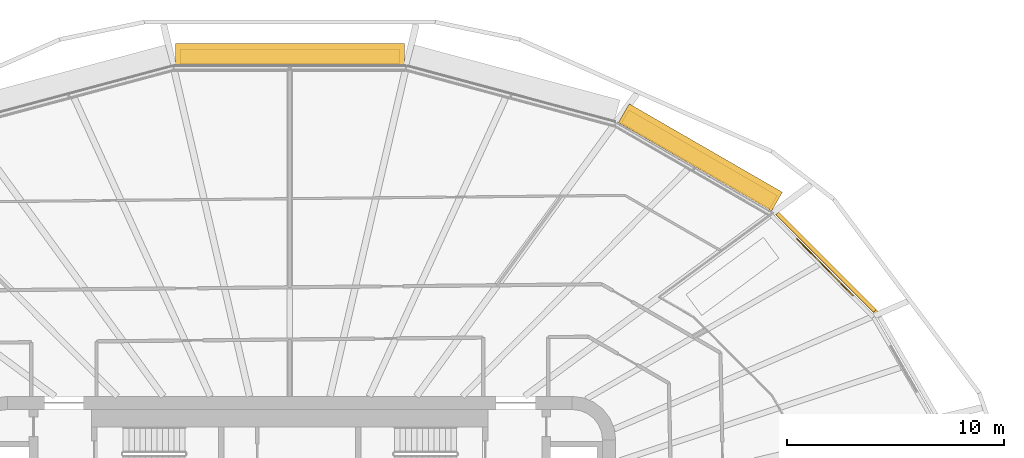
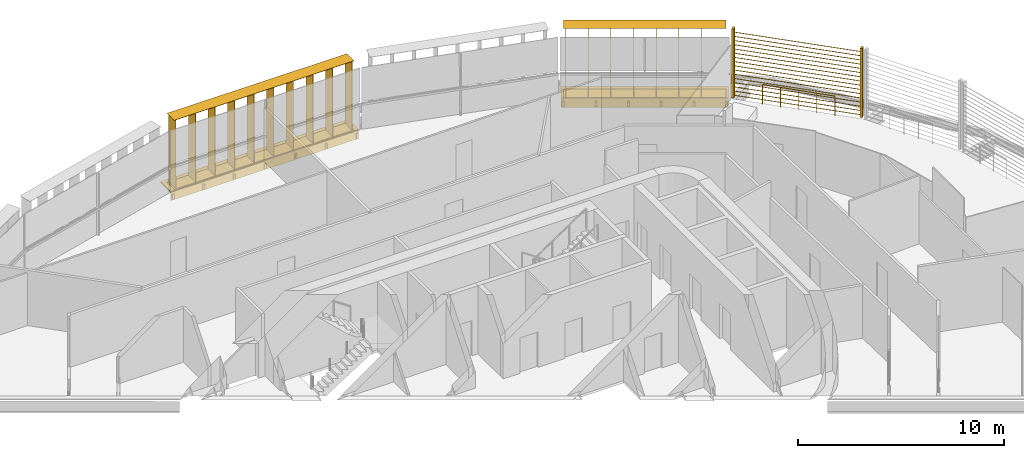
# One storey, part 24 of 24: 5 shading devices, 1 railing.
"""IFC4 building model written with IfcOpenShell, lengths in metres."""

from ifc_helpers import new_model, si_unit, direction, frame, origin, origin_2d, place, context, subcontext, project, spatial, rectangle, circle, extrude, material, type_object, element, save


model = new_model("IFC4")

# Units and contexts
model_context = context("Model", 3, precision=1e-05, world=origin(), true_north=direction((0.0, 1.0)))
body_context = subcontext(model_context, "Body", "Model", "MODEL_VIEW")
ifc_project = project(units=[si_unit("LENGTHUNIT", "METRE"), si_unit("AREAUNIT", "SQUARE_METRE"), si_unit("VOLUMEUNIT", "CUBIC_METRE"), si_unit("PLANEANGLEUNIT", "RADIAN"), si_unit("MASSUNIT", "GRAM", prefix="KILO")], contexts=[model_context])

# Site, building, storey
site_placement = place(None, origin())
site = spatial("IfcSite", under=ifc_project, at=site_placement, CompositionType="ELEMENT")
building_placement = place(site_placement, origin())
building = spatial("IfcBuilding", under=site, at=building_placement, Name="Sahrelin Media Tower", CompositionType="ELEMENT")
storey_placement = place(building_placement, frame((0.0, 0.0, 67.199951171875)))
storey = spatial("IfcBuildingStorey", under=building, at=storey_placement, Name="L11", CompositionType="ELEMENT", Elevation=67.199951171875)

# Shading devices
ifc_material_1 = material(Name="Champagne anodised aluminium 6063-T6", Category="aluminium")
shading_device_type_1 = type_object("IfcShadingDeviceType", Name="Fin cassette", PredefinedType="USERDEFINED", material=ifc_material_1)
placement_1 = place(storey_placement, frame((18.6416015625, 18.5498046875, 0.0), z_axis=(0.0, 0.0, 1.0), x_axis=(0.866019052629, -0.500011000363, 0.0)))
element("IfcShadingDevice", 1, at=placement_1, inside=storey, type_object=shading_device_type_1, Name="L11:FIN:L11-04", ObjectType="FIN", PredefinedType="USERDEFINED", context=body_context, shape_type="SweptSolid", body=[
    extrude(rectangle(XDim=7.89990234375, YDim=0.699951171875, at=origin_2d()), frame((0.0, 0.419921875, 0.0)), (0.0, 0.0, 1.0), 0.02001953125),
    extrude(rectangle(XDim=7.89990234375, YDim=0.699951171875, at=origin_2d()), frame((0.0, 0.419921875, 4.10009765625)), (0.0, 0.0, 1.0), 0.02001953125),
    extrude(rectangle(XDim=0.02001953125, YDim=0.699951171875, at=origin_2d()), frame((-3.85009765625, 0.419921875, 0.010009765625), z_axis=(0.0, 0.0, 1.0), x_axis=(1.0, 0.0, 0.0)), (0.0, 0.0, 1.0), 4.10009765625),
    extrude(rectangle(XDim=0.02001953125, YDim=0.699951171875, at=origin_2d()), frame((-2.75, 0.419921875, 0.010009765625), z_axis=(0.0, 0.0, 1.0), x_axis=(1.0, 0.0, 0.0)), (0.0, 0.0, 1.0), 4.10009765625),
    extrude(rectangle(XDim=0.02001953125, YDim=0.699951171875, at=origin_2d()), frame((-1.64990234375, 0.419921875, 0.010009765625), z_axis=(0.0, 0.0, 1.0), x_axis=(1.0, 0.0, 0.0)), (0.0, 0.0, 1.0), 4.10009765625),
    extrude(rectangle(XDim=0.02001953125, YDim=0.699951171875, at=origin_2d()), frame((-0.550048828125, 0.419921875, 0.010009765625), z_axis=(0.0, 0.0, 1.0), x_axis=(1.0, 0.0, 0.0)), (0.0, 0.0, 1.0), 4.10009765625),
    extrude(rectangle(XDim=0.02001953125, YDim=0.699951171875, at=origin_2d()), frame((0.550048828125, 0.419921875, 0.010009765625), z_axis=(0.0, 0.0, 1.0), x_axis=(1.0, 0.0, 0.0)), (0.0, 0.0, 1.0), 4.10009765625),
    extrude(rectangle(XDim=0.02001953125, YDim=0.699951171875, at=origin_2d()), frame((1.64990234375, 0.419921875, 0.010009765625), z_axis=(0.0, 0.0, 1.0), x_axis=(1.0, 0.0, 0.0)), (0.0, 0.0, 1.0), 4.10009765625),
    extrude(rectangle(XDim=0.02001953125, YDim=0.699951171875, at=origin_2d()), frame((2.75, 0.419921875, 0.010009765625), z_axis=(0.0, 0.0, 1.0), x_axis=(1.0, 0.0, 0.0)), (0.0, 0.0, 1.0), 4.10009765625),
    extrude(rectangle(XDim=0.02001953125, YDim=0.699951171875, at=origin_2d()), frame((3.85009765625, 0.419921875, 0.010009765625), z_axis=(0.0, 0.0, 1.0), x_axis=(1.0, 0.0, 0.0)), (0.0, 0.0, 1.0), 4.10009765625),
])
placement_2 = place(storey_placement, frame((0.0, 23.22314453125, 0.0), z_axis=(0.0, 0.0, 1.0), x_axis=(1.0, 0.0, 0.0)))
element("IfcShadingDevice", 2, at=placement_2, inside=storey, type_object=shading_device_type_1, Name="L11:FIN:L11-06", ObjectType="FIN", PredefinedType="USERDEFINED", context=body_context, shape_type="SweptSolid", body=[
    extrude(rectangle(XDim=10.10009765625, YDim=0.699951171875, at=origin_2d()), frame((0.0, 0.419921875, 0.0)), (0.0, 0.0, 1.0), 0.02001953125),
    extrude(rectangle(XDim=10.10009765625, YDim=0.699951171875, at=origin_2d()), frame((0.0, 0.419921875, 4.10009765625)), (0.0, 0.0, 1.0), 0.02001953125),
    extrude(rectangle(XDim=0.02001953125, YDim=0.699951171875, at=origin_2d()), frame((-4.949951171875, 0.419921875, 0.010009765625), z_axis=(0.0, 0.0, 1.0), x_axis=(1.0, 0.0, 0.0)), (0.0, 0.0, 1.0), 4.10009765625),
    extrude(rectangle(XDim=0.02001953125, YDim=0.699951171875, at=origin_2d()), frame((-3.85009765625, 0.419921875, 0.010009765625), z_axis=(0.0, 0.0, 1.0), x_axis=(1.0, 0.0, 0.0)), (0.0, 0.0, 1.0), 4.10009765625),
    extrude(rectangle(XDim=0.02001953125, YDim=0.699951171875, at=origin_2d()), frame((-2.75, 0.419921875, 0.010009765625), z_axis=(0.0, 0.0, 1.0), x_axis=(1.0, 0.0, 0.0)), (0.0, 0.0, 1.0), 4.10009765625),
    extrude(rectangle(XDim=0.02001953125, YDim=0.699951171875, at=origin_2d()), frame((-1.64990234375, 0.419921875, 0.010009765625), z_axis=(0.0, 0.0, 1.0), x_axis=(1.0, 0.0, 0.0)), (0.0, 0.0, 1.0), 4.10009765625),
    extrude(rectangle(XDim=0.02001953125, YDim=0.699951171875, at=origin_2d()), frame((-0.550048828125, 0.419921875, 0.010009765625), z_axis=(0.0, 0.0, 1.0), x_axis=(1.0, 0.0, 0.0)), (0.0, 0.0, 1.0), 4.10009765625),
    extrude(rectangle(XDim=0.02001953125, YDim=0.699951171875, at=origin_2d()), frame((0.550048828125, 0.419921875, 0.010009765625), z_axis=(0.0, 0.0, 1.0), x_axis=(1.0, 0.0, 0.0)), (0.0, 0.0, 1.0), 4.10009765625),
    extrude(rectangle(XDim=0.02001953125, YDim=0.699951171875, at=origin_2d()), frame((1.64990234375, 0.419921875, 0.010009765625), z_axis=(0.0, 0.0, 1.0), x_axis=(1.0, 0.0, 0.0)), (0.0, 0.0, 1.0), 4.10009765625),
    extrude(rectangle(XDim=0.02001953125, YDim=0.699951171875, at=origin_2d()), frame((2.75, 0.419921875, 0.010009765625), z_axis=(0.0, 0.0, 1.0), x_axis=(1.0, 0.0, 0.0)), (0.0, 0.0, 1.0), 4.10009765625),
    extrude(rectangle(XDim=0.02001953125, YDim=0.699951171875, at=origin_2d()), frame((3.85009765625, 0.419921875, 0.010009765625), z_axis=(0.0, 0.0, 1.0), x_axis=(1.0, 0.0, 0.0)), (0.0, 0.0, 1.0), 4.10009765625),
    extrude(rectangle(XDim=0.02001953125, YDim=0.699951171875, at=origin_2d()), frame((4.949951171875, 0.419921875, 0.010009765625), z_axis=(0.0, 0.0, 1.0), x_axis=(1.0, 0.0, 0.0)), (0.0, 0.0, 1.0), 4.10009765625),
])
shading_device_type_2 = type_object("IfcShadingDeviceType", Name="Garden screen", PredefinedType="USERDEFINED", material=ifc_material_1)
shading_device_3_placement = place(storey_placement, frame((24.616455078125, 14.1015625, 0.0), z_axis=(0.0, 0.0, 1.0), x_axis=(0.707106781187, -0.707106781187, 0.0)))
element("IfcShadingDevice", 3, at=shading_device_3_placement, inside=storey, type_object=shading_device_type_2, Name="L11:SCREEN:L11-03", ObjectType="SCREEN", PredefinedType="USERDEFINED", context=body_context, shape_type="SweptSolid", body=[
    extrude(rectangle(XDim=0.1201171875, YDim=0.199951171875, at=origin_2d()), frame((3.232666015625, 0.10009765625, 0.050048828125), z_axis=(0.0, 0.0, 1.0), x_axis=(1.0, 0.0, 0.0)), (0.0, 0.0, 1.0), 4.099853515625),
    extrude(rectangle(XDim=0.1201171875, YDim=0.199951171875, at=origin_2d()), frame((-3.232666015625, 0.10009765625, 0.050048828125), z_axis=(0.0, 0.0, 1.0), x_axis=(1.0, 0.0, 0.0)), (0.0, 0.0, 1.0), 4.099853515625),
    extrude(rectangle(XDim=0.25, YDim=0.02001953125, at=origin_2d()), frame((3.172607421875, 0.10009765625, 0.14990234375), z_axis=(-1.0, 0.0, 0.0), x_axis=(0.0, -0.766044443119, 0.642787609687)), (0.0, 0.0, 1.0), 6.34521484375),
    extrude(rectangle(XDim=0.25, YDim=0.02001953125, at=origin_2d()), frame((3.172607421875, 0.10009765625, 0.39990234375), z_axis=(-1.0, 0.0, 0.0), x_axis=(0.0, -0.766044443119, 0.642787609687)), (0.0, 0.0, 1.0), 6.34521484375),
    extrude(rectangle(XDim=0.25, YDim=0.02001953125, at=origin_2d()), frame((3.172607421875, 0.10009765625, 0.64990234375), z_axis=(-1.0, 0.0, 0.0), x_axis=(0.0, -0.766044443119, 0.642787609687)), (0.0, 0.0, 1.0), 6.34521484375),
    extrude(rectangle(XDim=0.25, YDim=0.02001953125, at=origin_2d()), frame((3.172607421875, 0.10009765625, 0.89990234375), z_axis=(-1.0, 0.0, 0.0), x_axis=(0.0, -0.766044443119, 0.642787609687)), (0.0, 0.0, 1.0), 6.34521484375),
    extrude(rectangle(XDim=0.25, YDim=0.02001953125, at=origin_2d()), frame((3.172607421875, 0.10009765625, 1.14990234375), z_axis=(-1.0, 0.0, 0.0), x_axis=(0.0, -0.766044443119, 0.642787609687)), (0.0, 0.0, 1.0), 6.34521484375),
    extrude(rectangle(XDim=0.25, YDim=0.02001953125, at=origin_2d()), frame((3.172607421875, 0.10009765625, 1.39990234375), z_axis=(-1.0, 0.0, 0.0), x_axis=(0.0, -0.766044443119, 0.642787609687)), (0.0, 0.0, 1.0), 6.34521484375),
    extrude(rectangle(XDim=0.25, YDim=0.02001953125, at=origin_2d()), frame((3.172607421875, 0.10009765625, 1.64990234375), z_axis=(-1.0, 0.0, 0.0), x_axis=(0.0, -0.766044443119, 0.642787609687)), (0.0, 0.0, 1.0), 6.34521484375),
    extrude(rectangle(XDim=0.25, YDim=0.02001953125, at=origin_2d()), frame((3.172607421875, 0.10009765625, 1.89990234375), z_axis=(-1.0, 0.0, 0.0), x_axis=(0.0, -0.766044443119, 0.642787609687)), (0.0, 0.0, 1.0), 6.34521484375),
    extrude(rectangle(XDim=0.25, YDim=0.02001953125, at=origin_2d()), frame((3.172607421875, 0.10009765625, 2.14990234375), z_axis=(-1.0, 0.0, 0.0), x_axis=(0.0, -0.766044443119, 0.642787609687)), (0.0, 0.0, 1.0), 6.34521484375),
    extrude(rectangle(XDim=0.25, YDim=0.02001953125, at=origin_2d()), frame((3.172607421875, 0.10009765625, 2.39990234375), z_axis=(-1.0, 0.0, 0.0), x_axis=(0.0, -0.766044443119, 0.642787609687)), (0.0, 0.0, 1.0), 6.34521484375),
    extrude(rectangle(XDim=0.25, YDim=0.02001953125, at=origin_2d()), frame((3.172607421875, 0.10009765625, 2.64990234375), z_axis=(-1.0, 0.0, 0.0), x_axis=(0.0, -0.766044443119, 0.642787609687)), (0.0, 0.0, 1.0), 6.34521484375),
    extrude(rectangle(XDim=0.25, YDim=0.02001953125, at=origin_2d()), frame((3.172607421875, 0.10009765625, 2.89990234375), z_axis=(-1.0, 0.0, 0.0), x_axis=(0.0, -0.766044443119, 0.642787609687)), (0.0, 0.0, 1.0), 6.34521484375),
    extrude(rectangle(XDim=0.25, YDim=0.02001953125, at=origin_2d()), frame((3.172607421875, 0.10009765625, 3.14990234375), z_axis=(-1.0, 0.0, 0.0), x_axis=(0.0, -0.766044443119, 0.642787609687)), (0.0, 0.0, 1.0), 6.34521484375),
    extrude(rectangle(XDim=0.25, YDim=0.02001953125, at=origin_2d()), frame((3.172607421875, 0.10009765625, 3.39990234375), z_axis=(-1.0, 0.0, 0.0), x_axis=(0.0, -0.766044443119, 0.642787609687)), (0.0, 0.0, 1.0), 6.34521484375),
    extrude(rectangle(XDim=0.25, YDim=0.02001953125, at=origin_2d()), frame((3.172607421875, 0.10009765625, 3.64990234375), z_axis=(-1.0, 0.0, 0.0), x_axis=(0.0, -0.766044443119, 0.642787609687)), (0.0, 0.0, 1.0), 6.34521484375),
    extrude(rectangle(XDim=0.25, YDim=0.02001953125, at=origin_2d()), frame((3.172607421875, 0.10009765625, 3.89990234375), z_axis=(-1.0, 0.0, 0.0), x_axis=(0.0, -0.766044443119, 0.642787609687)), (0.0, 0.0, 1.0), 6.34521484375),
])

# Railing
ifc_material_2 = material(Name="Stainless steel 316", Category="steel")
railing_type = type_object("IfcRailingType", Name="Sky garden guard", PredefinedType="GUARDRAIL", material=ifc_material_2)
railing_placement = place(storey_placement, frame((25.90625, 12.64892578125, 0.0)))
element("IfcRailing", 4, at=railing_placement, inside=storey, type_object=railing_type, Name="Sky garden guard G1-4", PredefinedType="GUARDRAIL", context=body_context, shape_type="SweptSolid", body=[
    extrude(circle(Radius=0.02392578125, at=origin_2d()), frame((0.0, 0.0, 1.17578125), z_axis=(-0.699785402314, 0.714353127458, 0.0), x_axis=(-0.714353127458, -0.699785402314, 0.0)), (0.0, 0.0, 1.0), 3.653564453125),
    extrude(circle(Radius=0.02099609375, at=origin_2d()), origin(), (0.0, 0.0, 1.0), 1.15185546875),
    extrude(circle(Radius=0.02099609375, at=origin_2d()), frame((-0.63916015625, 0.65234375, 0.0)), (0.0, 0.0, 1.0), 1.15185546875),
    extrude(circle(Radius=0.02099609375, at=origin_2d()), frame((-1.2783203125, 1.304931640625, 0.0)), (0.0, 0.0, 1.0), 1.15185546875),
    extrude(circle(Radius=0.02099609375, at=origin_2d()), frame((-1.91748046875, 1.95751953125, 0.0)), (0.0, 0.0, 1.0), 1.15185546875),
    extrude(circle(Radius=0.02099609375, at=origin_2d()), frame((-2.556640625, 2.60986328125, 0.0)), (0.0, 0.0, 1.0), 1.15185546875),
])

# Shading devices
shading_device_type_3 = type_object("IfcShadingDeviceType", Name="Sunshade band", PredefinedType="USERDEFINED", material=ifc_material_1)
element("IfcShadingDevice", 5, at=placement_1, inside=storey, type_object=shading_device_type_3, Name="L11:SUN:L11-04", ObjectType="SUNSHADE", PredefinedType="USERDEFINED", context=body_context, shape_type="SweptSolid", body=[
    extrude(rectangle(XDim=8.139404296875, YDim=0.050048828125, at=origin_2d()), frame((0.0, 0.044921875, -0.55126953125)), (0.0, 0.0, 1.0), 0.471435546875),
    extrude(rectangle(XDim=8.139404296875, YDim=1.0, at=origin_2d()), frame((0.0, 0.52001953125, -0.080078125)), (0.0, 0.0, 1.0), 0.080078125),
    extrude(rectangle(XDim=0.10009765625, YDim=0.074951171875, at=origin_2d()), frame((-3.9697265625, -0.017578125, -0.47021484375)), (0.0, 0.0, 1.0), 0.300048828125),
    extrude(rectangle(XDim=0.10009765625, YDim=0.074951171875, at=origin_2d()), frame((-2.3818359375, -0.017578125, -0.47021484375)), (0.0, 0.0, 1.0), 0.300048828125),
    extrude(rectangle(XDim=0.10009765625, YDim=0.074951171875, at=origin_2d()), frame((-0.7939453125, -0.017578125, -0.47021484375)), (0.0, 0.0, 1.0), 0.300048828125),
    extrude(rectangle(XDim=0.10009765625, YDim=0.074951171875, at=origin_2d()), frame((0.7939453125, -0.017578125, -0.47021484375)), (0.0, 0.0, 1.0), 0.300048828125),
    extrude(rectangle(XDim=0.10009765625, YDim=0.074951171875, at=origin_2d()), frame((2.3818359375, -0.017578125, -0.47021484375)), (0.0, 0.0, 1.0), 0.300048828125),
    extrude(rectangle(XDim=0.10009765625, YDim=0.074951171875, at=origin_2d()), frame((3.9697265625, -0.017578125, -0.47021484375)), (0.0, 0.0, 1.0), 0.300048828125),
])
element("IfcShadingDevice", 6, at=placement_2, inside=storey, type_object=shading_device_type_3, Name="L11:SUN:L11-06", ObjectType="SUNSHADE", PredefinedType="USERDEFINED", context=body_context, shape_type="SweptSolid", body=[
    extrude(rectangle(XDim=10.540771484375, YDim=0.050048828125, at=origin_2d()), frame((0.0, 0.044921875, -0.55126953125)), (0.0, 0.0, 1.0), 0.471435546875),
    extrude(rectangle(XDim=10.540771484375, YDim=1.0, at=origin_2d()), frame((0.0, 0.52001953125, -0.080078125)), (0.0, 0.0, 1.0), 0.080078125),
    extrude(rectangle(XDim=0.10009765625, YDim=0.074951171875, at=origin_2d()), frame((-5.17041015625, -0.017578125, -0.47021484375)), (0.0, 0.0, 1.0), 0.300048828125),
    extrude(rectangle(XDim=0.10009765625, YDim=0.074951171875, at=origin_2d()), frame((-3.447021484375, -0.017578125, -0.47021484375)), (0.0, 0.0, 1.0), 0.300048828125),
    extrude(rectangle(XDim=0.10009765625, YDim=0.074951171875, at=origin_2d()), frame((-1.723388671875, -0.017578125, -0.47021484375)), (0.0, 0.0, 1.0), 0.300048828125),
    extrude(rectangle(XDim=0.10009765625, YDim=0.074951171875, at=origin_2d()), frame((0.0, -0.017578125, -0.47021484375)), (0.0, 0.0, 1.0), 0.300048828125),
    extrude(rectangle(XDim=0.10009765625, YDim=0.074951171875, at=origin_2d()), frame((1.723388671875, -0.017578125, -0.47021484375)), (0.0, 0.0, 1.0), 0.300048828125),
    extrude(rectangle(XDim=0.10009765625, YDim=0.074951171875, at=origin_2d()), frame((3.447021484375, -0.017578125, -0.47021484375)), (0.0, 0.0, 1.0), 0.300048828125),
    extrude(rectangle(XDim=0.10009765625, YDim=0.074951171875, at=origin_2d()), frame((5.17041015625, -0.017578125, -0.47021484375)), (0.0, 0.0, 1.0), 0.300048828125),
])

save(model, "model.ifc")
